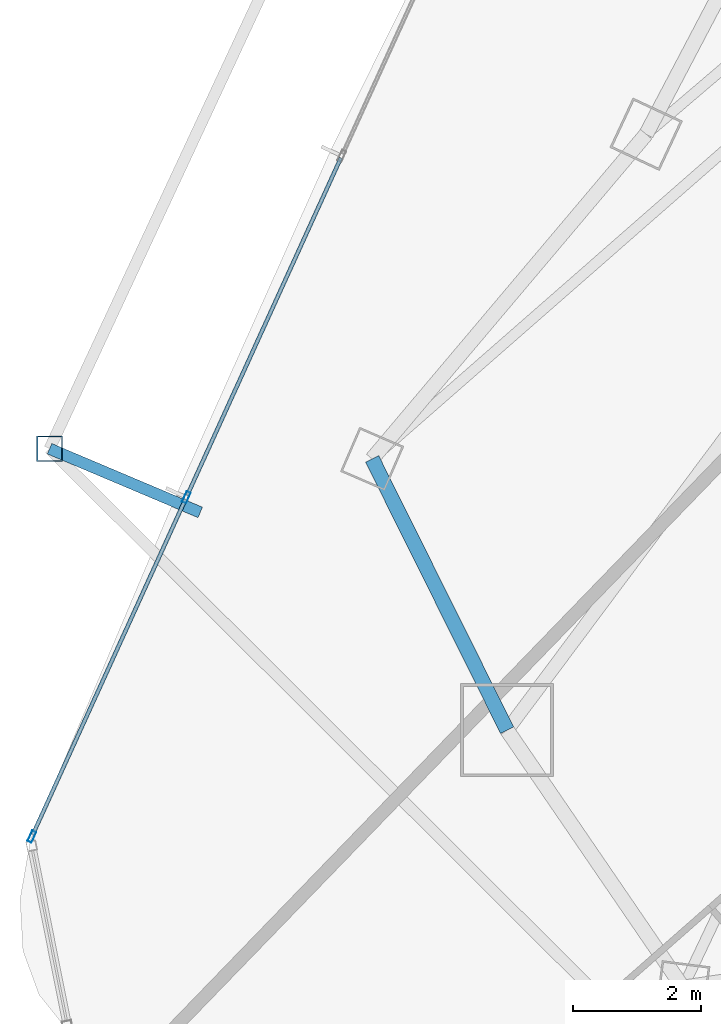
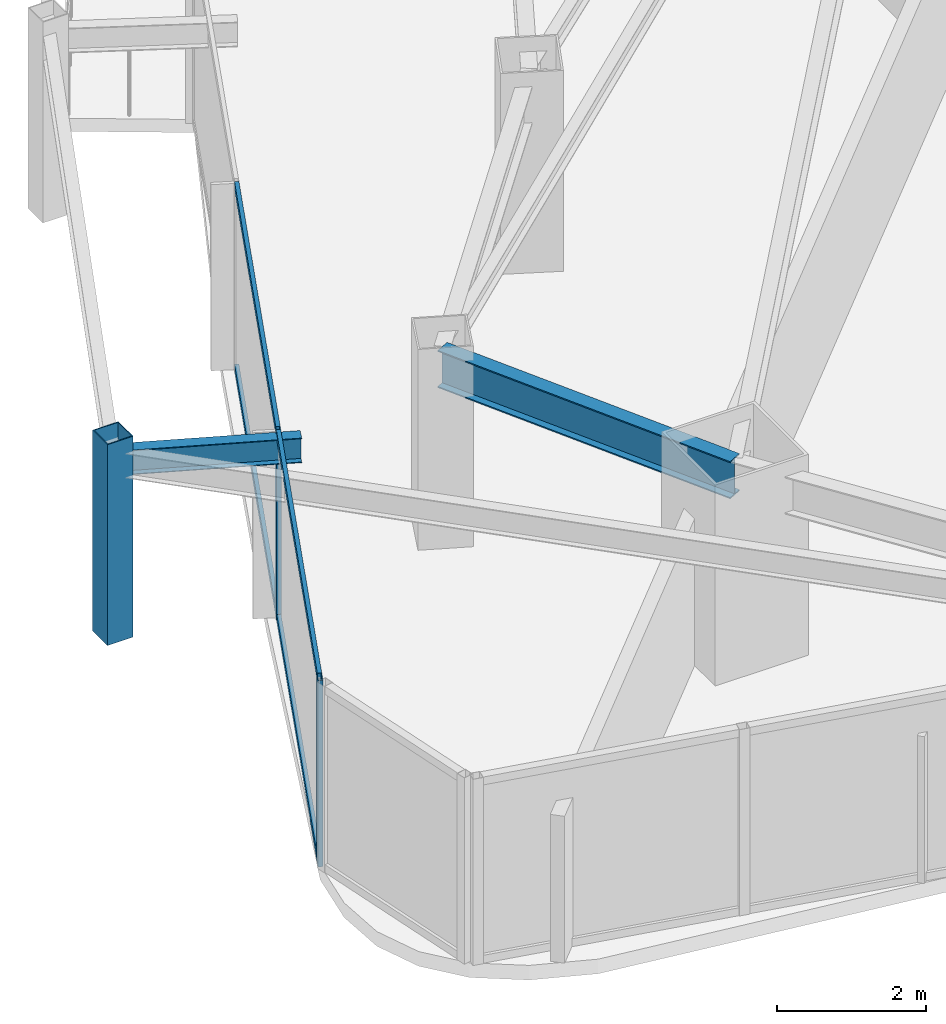
# One storey, part 5 of 31: 7 members, 2 beams, 1 element without a shape of its own.
"""IFC4 building model written with IfcOpenShell, lengths in metres."""

from ifc_helpers import new_model, si_unit, direction, frame, origin, origin_2d, place, context, subcontext, project, spatial, hollow_rectangle, i_section, extrude, material, layer, layer_set, material_profile, profile_set, type_object, element, aggregate, save


model = new_model("IFC4")

# Units and contexts
model_context = context("Model", 3, precision=1e-05, world=origin(), true_north=direction((0.0, 1.0)))
body_context = subcontext(model_context, "Body", "Model", "MODEL_VIEW")
ifc_project = project(units=[si_unit("LENGTHUNIT", "METRE"), si_unit("AREAUNIT", "SQUARE_METRE"), si_unit("VOLUMEUNIT", "CUBIC_METRE"), si_unit("PLANEANGLEUNIT", "RADIAN"), si_unit("MASSUNIT", "GRAM", prefix="KILO")], contexts=[model_context])

# Site, building, storey
site_placement = place(None, origin())
site = spatial("IfcSite", under=ifc_project, at=site_placement, CompositionType="ELEMENT")
building_placement = place(site_placement, origin())
building = spatial("IfcBuilding", under=site, at=building_placement, Name="Orvanel Arch Residences", CompositionType="ELEMENT")
storey_placement = place(building_placement, frame((0.0, 0.0, 106.699951171875)))
storey = spatial("IfcBuildingStorey", under=building, at=storey_placement, Name="L29", CompositionType="ELEMENT", Elevation=106.699951171875)

# Curtain wall, members
ifc_material_1 = material(Name="Bronze-anodised aluminium AA6063-T6", Category="aluminium")
ifc_layer = layer(ifc_material_1, 0.179931640625)
ifc_layer_set = layer_set([ifc_layer], Name="Bronze-anodised aluminium AA6063-T6")
curtain_wall_type = type_object("IfcCurtainWallType", Name="CW3-MID-SYS", PredefinedType="NOTDEFINED", material=ifc_layer_set)
curtain_wall_placement = place(storey_placement, origin())
curtain_wall = element("IfcCurtainWall", 1, at=curtain_wall_placement, inside=storey, type_object=curtain_wall_type, Name="L29 CW3-MID-SYS Unitised Curtain Wall", PredefinedType="NOTDEFINED")
ifc_material_profile_1 = material_profile(ifc_material_1, hollow_rectangle(XDim=0.070068359375, YDim=0.179931640625, WallThickness=0.00439453125, at=origin_2d()), Name="ALU180x70x4.5")
ifc_profile_set_1 = profile_set([ifc_material_profile_1], Name="Bronze-anodised aluminium AA6063-T6")
member_type_1 = type_object("IfcMemberType", Name="MUL-180x70", PredefinedType="MULLION", material=ifc_profile_set_1)
member_1_placement = place(storey_placement, frame((9.1982421875, 13.981689453125, 0.0), z_axis=(0.0, 0.0, 1.0), x_axis=(0.910112556864, -0.414361115258, 0.0)))
member_1 = element("IfcMember", 2, at=member_1_placement, type_object=member_type_1, Name="CW-S3 mullion 3", PredefinedType="MULLION", context=body_context, shape_type="SweptSolid", body=[
    extrude(hollow_rectangle(XDim=0.070068359375, YDim=0.179931640625, WallThickness=0.00439453125, at=origin_2d()), origin(), (0.0, 0.0, 1.0), 3.06005859375),
])
member_2_placement = place(storey_placement, frame((6.78955078125, 8.69091796875, 0.0), z_axis=(0.0, 0.0, 1.0), x_axis=(0.910112556864, -0.414361115258, 0.0)))
member_2 = element("IfcMember", 3, at=member_2_placement, type_object=member_type_1, Name="CW-S3 mullion 4", PredefinedType="MULLION", context=body_context, shape_type="SweptSolid", body=[
    extrude(hollow_rectangle(XDim=0.070068359375, YDim=0.179931640625, WallThickness=0.00439453125, at=origin_2d()), origin(), (0.0, 0.0, 1.0), 3.06005859375),
])

# Beams
ifc_material_2 = material(Name="Structural steel AS/NZS 3679.1 Grade 300 (300 MPa)", Category="steel")
ifc_material_profile_2 = material_profile(ifc_material_2, i_section(OverallWidth=0.177978515625, OverallDepth=0.406005859375, WebThickness=0.0078125, FlangeThickness=0.0126953125, at=origin_2d()), Name="410UB59.7")
ifc_profile_set_2 = profile_set([ifc_material_profile_2], Name="Structural steel AS/NZS 3679.1 Grade 300 (300 MPa)")
beam_type_1 = type_object("IfcBeamType", Name="OB-410UB-EXT", PredefinedType="SPANDREL", material=ifc_profile_set_2)
beam_1_placement = place(storey_placement, frame((9.4150390625, 13.74609375, 2.85693359375), z_axis=(-0.921099320223, 0.389327679833, 0.0), x_axis=(-0.389327679833, -0.921099320223, 0.0)))
element("IfcBeam", 4, at=beam_1_placement, inside=storey, type_object=beam_type_1, Name="L29 Outer Frame Radial Tie Beam 04", PredefinedType="SPANDREL", context=body_context, shape_type="SweptSolid", body=[
    extrude(i_section(OverallWidth=0.177978515625, OverallDepth=0.406005859375, WebThickness=0.0078125, FlangeThickness=0.0126953125, at=origin_2d()), origin(), (0.0, 0.0, 1.0), 2.55029296875),
])
ifc_material_profile_3 = material_profile(ifc_material_2, i_section(OverallWidth=0.22900390625, OverallDepth=0.612060546875, WebThickness=0.011962890625, FlangeThickness=0.01953125, at=origin_2d()), Name="610UB125")
ifc_profile_set_3 = profile_set([ifc_material_profile_3], Name="Structural steel AS/NZS 3679.1 Grade 300 (300 MPa)")
beam_type_2 = type_object("IfcBeamType", Name="SP-610UB", PredefinedType="SPANDREL", material=ifc_profile_set_3)
beam_2_placement = place(storey_placement, frame((12.094970703125, 14.580078125, 2.754150390625), z_axis=(0.44543469453, -0.895314432425, 0.0), x_axis=(0.895314432425, 0.44543469453, 0.0)))
element("IfcBeam", 5, at=beam_2_placement, inside=storey, type_object=beam_type_2, Name="L29 Perimeter Spandrel Beam 02", PredefinedType="SPANDREL", context=body_context, shape_type="SweptSolid", body=[
    extrude(i_section(OverallWidth=0.22900390625, OverallDepth=0.612060546875, WebThickness=0.011962890625, FlangeThickness=0.01953125, at=origin_2d()), origin(), (0.0, 0.0, 1.0), 4.723388671875),
])

# Member
ifc_material_3 = material(Name="Structural steel AS/NZS 1163 C450L0 (Grade 450)", Category="steel")
ifc_material_profile_4 = material_profile(ifc_material_3, hollow_rectangle(XDim=0.39990234375, YDim=0.39990234375, WallThickness=0.01611328125, at=origin_2d()), Name="SHS400x400x16")
ifc_profile_set_4 = profile_set([ifc_material_profile_4], Name="Structural steel AS/NZS 1163 C450L0 (Grade 450)")
member_type_2 = type_object("IfcMemberType", Name="ST-400SHS-EXT", PredefinedType="STRUT", material=ifc_profile_set_4)
member_3_placement = place(storey_placement, frame((7.06591796875, 14.739013671875, 0.0), z_axis=(0.0, 0.0, 1.0), x_axis=(1.0, 0.0, 0.0)))
element("IfcMember", 6, at=member_3_placement, inside=storey, type_object=member_type_2, Name="L29 Outer Perimeter Frame Post 04", PredefinedType="STRUT", context=body_context, shape_type="SweptSolid", body=[
    extrude(hollow_rectangle(XDim=0.39990234375, YDim=0.39990234375, WallThickness=0.01611328125, at=origin_2d()), origin(), (0.0, 0.0, 1.0), 3.300048828125),
])

ifc_material_profile_5 = material_profile(ifc_material_1, hollow_rectangle(XDim=0.06005859375, YDim=0.135009765625, WallThickness=0.00390625, at=origin_2d()), Name="ALU135x60x4")
ifc_profile_set_5 = profile_set([ifc_material_profile_5], Name="Bronze-anodised aluminium AA6063-T6")
member_type_3 = type_object("IfcMemberType", Name="TRN-135x60", PredefinedType="USERDEFINED", material=ifc_profile_set_5)
member_4_placement = place(storey_placement, frame((11.607177734375, 19.2724609375, 0.030029296875), z_axis=(-0.414350389291, -0.910117440166, 0.0), x_axis=(0.910117440166, -0.414350389291, 0.0)))
member_4 = element("IfcMember", 7, at=member_4_placement, type_object=member_type_3, Name="CW-S3 transom 2.1", ObjectType="TRANSOM", PredefinedType="USERDEFINED", context=body_context, shape_type="SweptSolid", body=[
    extrude(hollow_rectangle(XDim=0.06005859375, YDim=0.135009765625, WallThickness=0.00390625, at=origin_2d()), origin(), (0.0, 0.0, 1.0), 5.7783203125),
])

member_5_placement = place(storey_placement, frame((11.607177734375, 19.2724609375, 3.030029296875), z_axis=(-0.414350389291, -0.910117440166, 0.0), x_axis=(0.910117440166, -0.414350389291, 0.0)))
member_5 = element("IfcMember", 8, at=member_5_placement, type_object=member_type_3, Name="CW-S3 transom 2.2", ObjectType="TRANSOM", PredefinedType="USERDEFINED", context=body_context, shape_type="SweptSolid", body=[
    extrude(hollow_rectangle(XDim=0.06005859375, YDim=0.135009765625, WallThickness=0.00390625, at=origin_2d()), origin(), (0.0, 0.0, 1.0), 5.7783203125),
])

member_6_placement = place(storey_placement, frame((9.183837890625, 13.94970703125, 0.030029296875), z_axis=(-0.414372943031, -0.910107171757, 0.0), x_axis=(0.910107171757, -0.414372943031, 0.0)))
member_6 = element("IfcMember", 9, at=member_6_placement, type_object=member_type_3, Name="CW-S3 transom 3.1", ObjectType="TRANSOM", PredefinedType="USERDEFINED", context=body_context, shape_type="SweptSolid", body=[
    extrude(hollow_rectangle(XDim=0.06005859375, YDim=0.135009765625, WallThickness=0.00390625, at=origin_2d()), origin(), (0.0, 0.0, 1.0), 5.743408203125),
])

member_7_placement = place(storey_placement, frame((9.183837890625, 13.94970703125, 3.030029296875), z_axis=(-0.414372943031, -0.910107171757, 0.0), x_axis=(0.910107171757, -0.414372943031, 0.0)))
member_7 = element("IfcMember", 10, at=member_7_placement, type_object=member_type_3, Name="CW-S3 transom 3.2", ObjectType="TRANSOM", PredefinedType="USERDEFINED", context=body_context, shape_type="SweptSolid", body=[
    extrude(hollow_rectangle(XDim=0.06005859375, YDim=0.135009765625, WallThickness=0.00390625, at=origin_2d()), origin(), (0.0, 0.0, 1.0), 5.743408203125),
])

aggregate(curtain_wall, [member_1, member_2, member_4, member_5, member_6, member_7])

save(model, "model.ifc")
